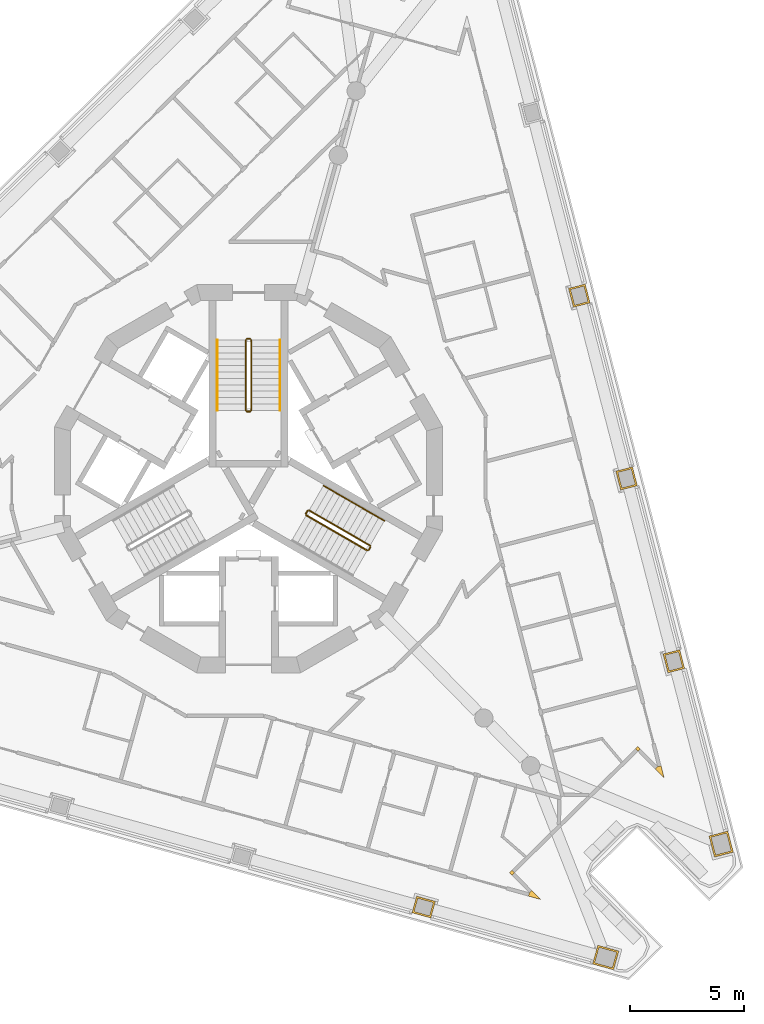
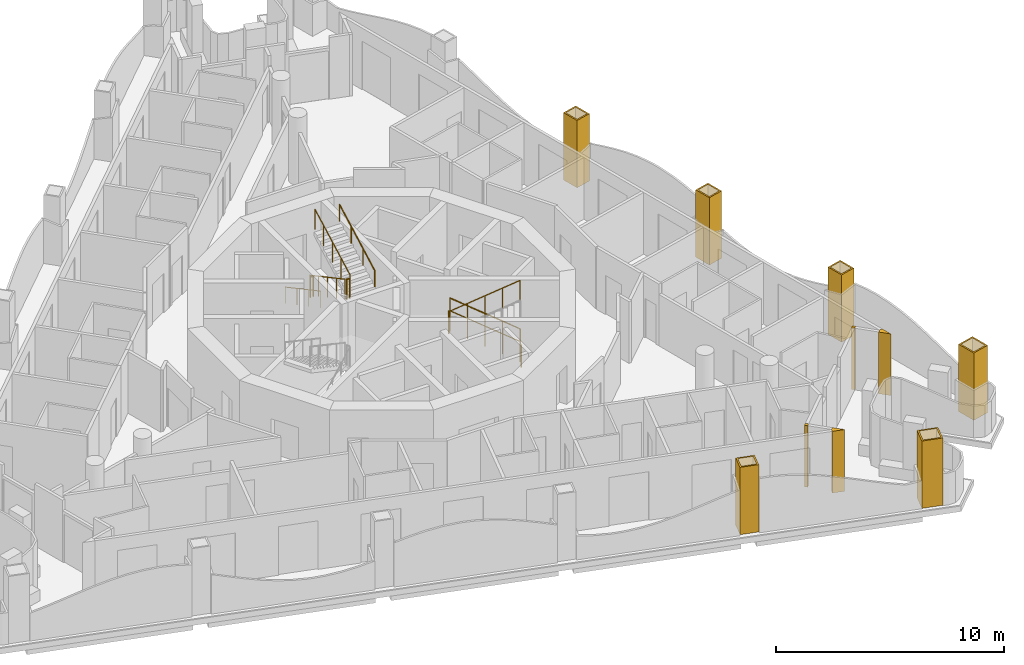
# One storey, part 12 of 14: 12 railings, 10 coverings.
"""IFC4 building model written with IfcOpenShell, lengths in metres."""

from ifc_helpers import new_model, si_unit, direction, frame, origin, origin_2d, place, context, subcontext, project, spatial, polyline, circle, outline, extrude, material, layer, layer_set, type_object, element, save


model = new_model("IFC4")

# Units and contexts
model_context = context("Model", 3, precision=1e-05, world=origin(), true_north=direction((0.0, 1.0)))
body_context = subcontext(model_context, "Body", "Model", "MODEL_VIEW")
ifc_project = project(units=[si_unit("LENGTHUNIT", "METRE"), si_unit("AREAUNIT", "SQUARE_METRE"), si_unit("VOLUMEUNIT", "CUBIC_METRE"), si_unit("PLANEANGLEUNIT", "RADIAN"), si_unit("MASSUNIT", "GRAM", prefix="KILO")], contexts=[model_context])

# Site, building, storey
site_placement = place(None, origin())
site = spatial("IfcSite", under=ifc_project, at=site_placement, CompositionType="ELEMENT")
building_placement = place(site_placement, origin())
building = spatial("IfcBuilding", under=site, at=building_placement, Name="Trine Commons Tower", CompositionType="ELEMENT")
storey_placement = place(building_placement, frame((0.0, 0.0, 238.5)))
storey = spatial("IfcBuildingStorey", under=building, at=storey_placement, Name="L62", CompositionType="ELEMENT", Elevation=238.5)

# Coverings
ifc_material_1 = material(Name="Aluminium-framed insulated wall panel", Category="aluminium")
ifc_layer_1 = layer(ifc_material_1, 0.14990234375)
ifc_layer_set_1 = layer_set([ifc_layer_1], Name="Aluminium-framed insulated wall panel")
covering_type_1 = type_object("IfcCoveringType", Name="Glazing corner post, aluminium", PredefinedType="CLADDING", material=ifc_layer_set_1)
covering_1_placement = place(storey_placement, origin())
element("IfcCovering", 1, at=covering_1_placement, inside=storey, type_object=covering_type_1, Name="Glazing corner post 7-06", PredefinedType="CLADDING", context=body_context, shape_type="SweptSolid", body=[
    extrude(outline(polyline([(97.80859375, 49.78515625), (98.200927734375, 49.3857421875), (98.060791015625, 49.927734375), (97.91552734375, 49.890380859375), (97.91552734375, 49.890380859375), (97.80859375, 49.78515625)])), origin(), (0.0, 0.0, 1.0), 3.300048828125),
])
covering_2_placement = place(storey_placement, origin())
element("IfcCovering", 2, at=covering_2_placement, inside=storey, type_object=covering_type_1, Name="Glazing corner post 7-07", PredefinedType="CLADDING", context=body_context, shape_type="SweptSolid", body=[
    extrude(outline(polyline([(96.9423828125, 50.66650390625), (97.047607421875, 50.5595703125), (97.154541015625, 50.66455078125), (97.04931640625, 50.771484375), (96.9423828125, 50.66650390625)])), origin(), (0.0, 0.0, 1.0), 3.300048828125),
])
covering_3_placement = place(storey_placement, origin())
element("IfcCovering", 3, at=covering_3_placement, inside=storey, type_object=covering_type_1, Name="Glazing corner post 7-08", PredefinedType="CLADDING", context=body_context, shape_type="SweptSolid", body=[
    extrude(outline(polyline([(91.5341796875, 45.1416015625), (91.64111328125, 45.24658203125), (91.535888671875, 45.353515625), (91.428955078125, 45.24853515625), (91.5341796875, 45.1416015625)])), origin(), (0.0, 0.0, 1.0), 3.300048828125),
])
covering_4_placement = place(storey_placement, origin())
element("IfcCovering", 4, at=covering_4_placement, inside=storey, type_object=covering_type_1, Name="Glazing corner post 7-09", PredefinedType="CLADDING", context=body_context, shape_type="SweptSolid", body=[
    extrude(outline(polyline([(92.255126953125, 44.222412109375), (92.79443359375, 44.072998046875), (92.402099609375, 44.47216796875), (92.295166015625, 44.3671875), (92.255126953125, 44.222412109375)])), origin(), (0.0, 0.0, 1.0), 3.300048828125),
])
ifc_material_2 = material(Name="Limestone, honed", Category="masonry")
ifc_layer_2 = layer(ifc_material_2, 0.074951171875)
ifc_layer_set_2 = layer_set([ifc_layer_2], Name="Limestone, honed")
covering_type_2 = type_object("IfcCoveringType", Name="Limestone column cladding 75", PredefinedType="CLADDING", material=ifc_layer_set_2)
covering_5_placement = place(storey_placement, origin())
element("IfcCovering", 5, at=covering_5_placement, inside=storey, type_object=covering_type_2, Name="Limestone pier cladding 7-01", PredefinedType="CLADDING", context=body_context, shape_type="SweptSolid", body=[
    extrude(outline(polyline([(95.292724609375, 42.0673828125), (95.0654296875, 41.248291015625), (95.98095703125, 40.994384765625), (96.2080078125, 41.8134765625), (95.292724609375, 42.0673828125)]), holes=[polyline([(95.344970703125, 41.97509765625), (95.15771484375, 41.300537109375), (95.9287109375, 41.086669921875), (96.11572265625, 41.76123046875), (95.344970703125, 41.97509765625)])]), origin(), (0.0, 0.0, 1.0), 3.60009765625),
])
covering_6_placement = place(storey_placement, origin())
element("IfcCovering", 6, at=covering_6_placement, inside=storey, type_object=covering_type_2, Name="Limestone pier cladding 7-02", PredefinedType="CLADDING", context=body_context, shape_type="SweptSolid", body=[
    extrude(outline(polyline([(87.359619140625, 44.215576171875), (87.158935546875, 43.492919921875), (87.97802734375, 43.265869140625), (88.1787109375, 43.988525390625), (87.359619140625, 44.215576171875)]), holes=[polyline([(87.41162109375, 44.123291015625), (87.25146484375, 43.545166015625), (87.92578125, 43.358154296875), (88.086181640625, 43.936279296875), (87.41162109375, 44.123291015625)])]), origin(), (0.0, 0.0, 1.0), 3.60009765625),
])
covering_7_placement = place(storey_placement, origin())
element("IfcCovering", 7, at=covering_7_placement, inside=storey, type_object=covering_type_2, Name="Limestone pier cladding 7-15", PredefinedType="CLADDING", context=body_context, shape_type="SweptSolid", body=[
    extrude(outline(polyline([(94.738525390625, 71.02099609375), (94.012451171875, 70.833251953125), (94.225341796875, 70.01025390625), (94.951416015625, 70.197998046875), (94.738525390625, 71.02099609375)]), holes=[polyline([(94.684814453125, 70.9296875), (94.10400390625, 70.779296875), (94.279296875, 70.101806640625), (94.860107421875, 70.251953125), (94.684814453125, 70.9296875)])]), origin(), (0.0, 0.0, 1.0), 3.60009765625),
])
covering_8_placement = place(storey_placement, origin())
element("IfcCovering", 8, at=covering_8_placement, inside=storey, type_object=covering_type_2, Name="Limestone pier cladding 7-16", PredefinedType="CLADDING", context=body_context, shape_type="SweptSolid", body=[
    extrude(outline(polyline([(96.808837890625, 63.015625), (96.082763671875, 62.827880859375), (96.295654296875, 62.0048828125), (97.021728515625, 62.192626953125), (96.808837890625, 63.015625)]), holes=[polyline([(96.755126953125, 62.92431640625), (96.17431640625, 62.77392578125), (96.349609375, 62.09619140625), (96.930419921875, 62.24658203125), (96.755126953125, 62.92431640625)])]), origin(), (0.0, 0.0, 1.0), 3.60009765625),
])
covering_9_placement = place(storey_placement, origin())
element("IfcCovering", 9, at=covering_9_placement, inside=storey, type_object=covering_type_2, Name="Limestone pier cladding 7-17", PredefinedType="CLADDING", context=body_context, shape_type="SweptSolid", body=[
    extrude(outline(polyline([(98.87939453125, 55.010498046875), (98.1533203125, 54.822509765625), (98.3662109375, 53.99951171875), (99.09228515625, 54.1875), (98.87939453125, 55.010498046875)]), holes=[polyline([(98.825439453125, 54.9189453125), (98.24462890625, 54.768798828125), (98.419921875, 54.091064453125), (99.000732421875, 54.2412109375), (98.825439453125, 54.9189453125)])]), origin(), (0.0, 0.0, 1.0), 3.60009765625),
])
covering_10_placement = place(storey_placement, origin())
element("IfcCovering", 10, at=covering_10_placement, inside=storey, type_object=covering_type_2, Name="Limestone pier cladding 7-18", PredefinedType="CLADDING", context=body_context, shape_type="SweptSolid", body=[
    extrude(outline(polyline([(100.985595703125, 47.06591796875), (100.16259765625, 46.853271484375), (100.400390625, 45.933349609375), (101.223388671875, 46.146240234375), (100.985595703125, 47.06591796875)]), holes=[polyline([(100.931640625, 46.974609375), (100.25390625, 46.79931640625), (100.454345703125, 46.02490234375), (101.132080078125, 46.2001953125), (100.931640625, 46.974609375)])]), origin(), (0.0, 0.0, 1.0), 3.60009765625),
])

# Railings
ifc_material_3 = material(Name="Stainless steel balustrade", Category="steel")
railing_type_1 = type_object("IfcRailingType", Name="Stair guard, steel balustrade 1100", PredefinedType="GUARDRAIL", material=ifc_material_3)
railing_1_placement = place(storey_placement, frame((79.875, 68.570556640625, 0.14990234375)))
element("IfcRailing", 11, at=railing_1_placement, inside=storey, type_object=railing_type_1, Name="L62 ST1C stair guard 1", PredefinedType="GUARDRAIL", context=body_context, shape_type="SweptSolid", body=[
    extrude(circle(Radius=0.02392578125, at=origin_2d()), frame((0.0, 0.0, 1.076171875), z_axis=(0.0, -0.881467505477, 0.472244678941), x_axis=(1.0, 0.0, 0.0)), (0.0, 0.0, 1.0), 3.494140625),
    extrude(circle(Radius=0.02099609375, at=origin_2d()), origin(), (0.0, 0.0, 1.0), 1.052001953125),
    extrude(circle(Radius=0.02099609375, at=origin_2d()), frame((0.0, -0.77001953125, 0.41259765625)), (0.0, 0.0, 1.0), 1.052001953125),
    extrude(circle(Radius=0.02099609375, at=origin_2d()), frame((0.0, -1.5400390625, 0.8251953125)), (0.0, 0.0, 1.0), 1.052001953125),
    extrude(circle(Radius=0.02099609375, at=origin_2d()), frame((0.0, -2.31005859375, 1.237548828125)), (0.0, 0.0, 1.0), 1.052001953125),
    extrude(circle(Radius=0.02099609375, at=origin_2d()), frame((0.0, -3.080078125, 1.650146484375)), (0.0, 0.0, 1.0), 1.052001953125),
])
railing_2_placement = place(storey_placement, frame((79.925048828125, 65.440673828125, 1.800048828125)))
element("IfcRailing", 12, at=railing_2_placement, inside=storey, type_object=railing_type_1, Name="L62 ST1C stair guard 2", PredefinedType="GUARDRAIL", context=body_context, shape_type="SweptSolid", body=[
    extrude(circle(Radius=0.02392578125, at=origin_2d()), frame((0.0, 0.0, 1.076171875), z_axis=(1.0, 0.0, 0.0), x_axis=(0.0, 1.0, 0.0)), (0.0, 0.0, 1.0), 0.14990234375),
    extrude(circle(Radius=0.02099609375, at=origin_2d()), origin(), (0.0, 0.0, 1.0), 1.052001953125),
    extrude(circle(Radius=0.02099609375, at=origin_2d()), frame((0.14990234375, 0.0, 0.0)), (0.0, 0.0, 1.0), 1.052001953125),
])
railing_3_placement = place(storey_placement, frame((80.125, 65.490478515625, 1.949951171875)))
element("IfcRailing", 13, at=railing_3_placement, inside=storey, type_object=railing_type_1, Name="L62 ST1C stair guard 3", PredefinedType="GUARDRAIL", context=body_context, shape_type="SweptSolid", body=[
    extrude(circle(Radius=0.02392578125, at=origin_2d()), frame((0.0, 0.0, 1.076171875), z_axis=(0.0, 0.881467505477, 0.472244678941), x_axis=(-1.0, 0.0, 0.0)), (0.0, 0.0, 1.0), 3.494140625),
    extrude(circle(Radius=0.02099609375, at=origin_2d()), origin(), (0.0, 0.0, 1.0), 1.052001953125),
    extrude(circle(Radius=0.02099609375, at=origin_2d()), frame((0.0, 0.77001953125, 0.41259765625)), (0.0, 0.0, 1.0), 1.052001953125),
    extrude(circle(Radius=0.02099609375, at=origin_2d()), frame((0.0, 1.5400390625, 0.8251953125)), (0.0, 0.0, 1.0), 1.052001953125),
    extrude(circle(Radius=0.02099609375, at=origin_2d()), frame((0.0, 2.31005859375, 1.237548828125)), (0.0, 0.0, 1.0), 1.052001953125),
    extrude(circle(Radius=0.02099609375, at=origin_2d()), frame((0.0, 3.080078125, 1.650146484375)), (0.0, 0.0, 1.0), 1.052001953125),
])
railing_4_placement = place(storey_placement, frame((79.925048828125, 68.62060546875, 0.0)))
element("IfcRailing", 14, at=railing_4_placement, inside=storey, type_object=railing_type_1, Name="L62 ST1C stair guard 4", PredefinedType="GUARDRAIL", context=body_context, shape_type="SweptSolid", body=[
    extrude(circle(Radius=0.02392578125, at=origin_2d()), frame((0.0, 0.0, 1.076171875), z_axis=(1.0, 0.0, 0.0), x_axis=(0.0, 1.0, 0.0)), (0.0, 0.0, 1.0), 0.14990234375),
    extrude(circle(Radius=0.02099609375, at=origin_2d()), origin(), (0.0, 0.0, 1.0), 1.052001953125),
    extrude(circle(Radius=0.02099609375, at=origin_2d()), frame((0.14990234375, 0.0, 0.0)), (0.0, 0.0, 1.0), 1.052001953125),
])
railing_5_placement = place(storey_placement, frame((85.31982421875, 59.572998046875, 0.14990234375)))
element("IfcRailing", 15, at=railing_5_placement, inside=storey, type_object=railing_type_1, Name="L62 ST3C stair guard 1", PredefinedType="GUARDRAIL", context=body_context, shape_type="SweptSolid", body=[
    extrude(circle(Radius=0.02392578125, at=origin_2d()), frame((0.0, 0.0, 1.076171875), z_axis=(-0.763379768245, 0.440728498818, 0.472239049384), x_axis=(-0.499992328818, -0.866029832698, 0.0)), (0.0, 0.0, 1.0), 3.494384765625),
    extrude(circle(Radius=0.02099609375, at=origin_2d()), origin(), (0.0, 0.0, 1.0), 1.052001953125),
    extrude(circle(Radius=0.02099609375, at=origin_2d()), frame((-0.6669921875, 0.385009765625, 0.41259765625)), (0.0, 0.0, 1.0), 1.052001953125),
    extrude(circle(Radius=0.02099609375, at=origin_2d()), frame((-1.333740234375, 0.77001953125, 0.8251953125)), (0.0, 0.0, 1.0), 1.052001953125),
    extrude(circle(Radius=0.02099609375, at=origin_2d()), frame((-2.00048828125, 1.155029296875, 1.237548828125)), (0.0, 0.0, 1.0), 1.052001953125),
    extrude(circle(Radius=0.02099609375, at=origin_2d()), frame((-2.66748046875, 1.5400390625, 1.650146484375)), (0.0, 0.0, 1.0), 1.052001953125),
])
railing_6_placement = place(storey_placement, frame((82.584228515625, 61.0947265625, 1.800048828125)))
element("IfcRailing", 16, at=railing_6_placement, inside=storey, type_object=railing_type_1, Name="L62 ST3C stair guard 2", PredefinedType="GUARDRAIL", context=body_context, shape_type="SweptSolid", body=[
    extrude(circle(Radius=0.02392578125, at=origin_2d()), frame((0.0, 0.0, 1.076171875), z_axis=(-0.501036270542, -0.865426285481, 0.0), x_axis=(0.865426285481, -0.501036270542, 0.0)), (0.0, 0.0, 1.0), 0.150146484375),
    extrude(circle(Radius=0.02099609375, at=origin_2d()), origin(), (0.0, 0.0, 1.0), 1.052001953125),
    extrude(circle(Radius=0.02099609375, at=origin_2d()), frame((-0.0751953125, -0.1298828125, 0.0)), (0.0, 0.0, 1.0), 1.052001953125),
])
railing_7_placement = place(storey_placement, frame((82.52734375, 60.896484375, 1.949951171875)))
element("IfcRailing", 17, at=railing_7_placement, inside=storey, type_object=railing_type_1, Name="L62 ST3C stair guard 3", PredefinedType="GUARDRAIL", context=body_context, shape_type="SweptSolid", body=[
    extrude(circle(Radius=0.02392578125, at=origin_2d()), frame((0.0, 0.0, 1.076171875), z_axis=(0.763379768245, -0.440728498818, 0.472239049384), x_axis=(0.499992328818, 0.866029832698, 0.0)), (0.0, 0.0, 1.0), 3.494384765625),
    extrude(circle(Radius=0.02099609375, at=origin_2d()), origin(), (0.0, 0.0, 1.0), 1.052001953125),
    extrude(circle(Radius=0.02099609375, at=origin_2d()), frame((0.6669921875, -0.385009765625, 0.41259765625)), (0.0, 0.0, 1.0), 1.052001953125),
    extrude(circle(Radius=0.02099609375, at=origin_2d()), frame((1.333740234375, -0.77001953125, 0.8251953125)), (0.0, 0.0, 1.0), 1.052001953125),
    extrude(circle(Radius=0.02099609375, at=origin_2d()), frame((2.00048828125, -1.155029296875, 1.237548828125)), (0.0, 0.0, 1.0), 1.052001953125),
    extrude(circle(Radius=0.02099609375, at=origin_2d()), frame((2.66748046875, -1.5400390625, 1.650146484375)), (0.0, 0.0, 1.0), 1.052001953125),
])
railing_8_placement = place(storey_placement, frame((85.338134765625, 59.504638671875, 0.0)))
element("IfcRailing", 18, at=railing_8_placement, inside=storey, type_object=railing_type_1, Name="L62 ST3C stair guard 4", PredefinedType="GUARDRAIL", context=body_context, shape_type="SweptSolid", body=[
    extrude(circle(Radius=0.02392578125, at=origin_2d()), frame((0.0, 0.0, 1.076171875), z_axis=(-0.499816412211, -0.866131372301, 0.0), x_axis=(0.866131372301, -0.499816412211, 0.0)), (0.0, 0.0, 1.0), 0.14990234375),
    extrude(circle(Radius=0.02099609375, at=origin_2d()), origin(), (0.0, 0.0, 1.0), 1.052001953125),
    extrude(circle(Radius=0.02099609375, at=origin_2d()), frame((-0.074951171875, -0.1298828125, 0.0)), (0.0, 0.0, 1.0), 1.052001953125),
])
ifc_material_4 = material(Name="Stainless steel handrail", Category="steel")
railing_type_2 = type_object("IfcRailingType", Name="Stair handrail, steel 900", PredefinedType="HANDRAIL", material=ifc_material_4)
railing_9_placement = place(storey_placement, frame((78.625, 68.570556640625, 0.14990234375)))
element("IfcRailing", 19, at=railing_9_placement, inside=storey, type_object=railing_type_2, Name="L62 ST1C stair handrail 1", PredefinedType="HANDRAIL", context=body_context, shape_type="SweptSolid", body=[
    extrude(circle(Radius=0.02099609375, at=origin_2d()), frame((0.0, 0.0, 0.87890625), z_axis=(0.0, -0.881467505477, 0.472244678941), x_axis=(1.0, 0.0, 0.0)), (0.0, 0.0, 1.0), 3.494140625),
    extrude(circle(Radius=0.01513671875, at=origin_2d()), origin(), (0.0, 0.0, 1.0), 0.85791015625),
    extrude(circle(Radius=0.01513671875, at=origin_2d()), frame((0.0, -1.026611328125, 0.550048828125)), (0.0, 0.0, 1.0), 0.85791015625),
    extrude(circle(Radius=0.01513671875, at=origin_2d()), frame((0.0, -2.053466796875, 1.10009765625)), (0.0, 0.0, 1.0), 0.85791015625),
    extrude(circle(Radius=0.01513671875, at=origin_2d()), frame((0.0, -3.080078125, 1.650146484375)), (0.0, 0.0, 1.0), 0.85791015625),
])
railing_10_placement = place(storey_placement, frame((81.375, 65.490478515625, 1.949951171875)))
element("IfcRailing", 20, at=railing_10_placement, inside=storey, type_object=railing_type_2, Name="L62 ST1C stair handrail 2", PredefinedType="HANDRAIL", context=body_context, shape_type="SweptSolid", body=[
    extrude(circle(Radius=0.02099609375, at=origin_2d()), frame((0.0, 0.0, 0.87890625), z_axis=(0.0, 0.881467505477, 0.472244678941), x_axis=(-1.0, 0.0, 0.0)), (0.0, 0.0, 1.0), 3.494140625),
    extrude(circle(Radius=0.01513671875, at=origin_2d()), origin(), (0.0, 0.0, 1.0), 0.85791015625),
    extrude(circle(Radius=0.01513671875, at=origin_2d()), frame((0.0, 1.026611328125, 0.550048828125)), (0.0, 0.0, 1.0), 0.85791015625),
    extrude(circle(Radius=0.01513671875, at=origin_2d()), frame((0.0, 2.053466796875, 1.10009765625)), (0.0, 0.0, 1.0), 0.85791015625),
    extrude(circle(Radius=0.01513671875, at=origin_2d()), frame((0.0, 3.080078125, 1.650146484375)), (0.0, 0.0, 1.0), 0.85791015625),
])
railing_11_placement = place(storey_placement, frame((85.94482421875, 60.655517578125, 0.14990234375)))
element("IfcRailing", 21, at=railing_11_placement, inside=storey, type_object=railing_type_2, Name="L62 ST3C stair handrail 1", PredefinedType="HANDRAIL", context=body_context, shape_type="SweptSolid", body=[
    extrude(circle(Radius=0.02099609375, at=origin_2d()), frame((0.0, 0.0, 0.87890625), z_axis=(-0.763354580307, 0.440713956853, 0.472293333596), x_axis=(-0.499992328818, -0.866029832698, 0.0)), (0.0, 0.0, 1.0), 1.747314453125),
    extrude(circle(Radius=0.01513671875, at=origin_2d()), origin(), (0.0, 0.0, 1.0), 0.85791015625),
    extrude(circle(Radius=0.01513671875, at=origin_2d()), frame((-0.6669921875, 0.385009765625, 0.41259765625)), (0.0, 0.0, 1.0), 0.85791015625),
    extrude(circle(Radius=0.01513671875, at=origin_2d()), frame((-1.333740234375, 0.77001953125, 0.8251953125)), (0.0, 0.0, 1.0), 0.85791015625),
])
railing_12_placement = place(storey_placement, frame((84.611083984375, 61.425537109375, 0.97509765625)))
element("IfcRailing", 22, at=railing_12_placement, inside=storey, type_object=railing_type_2, Name="L62 ST3C stair handrail 2", PredefinedType="HANDRAIL", context=body_context, shape_type="SweptSolid", body=[
    extrude(circle(Radius=0.02099609375, at=origin_2d()), frame((0.0, 0.0, 0.87890625), z_axis=(-0.76340495495, 0.440743040072, 0.472184759798), x_axis=(-0.499992328818, -0.866029832698, 0.0)), (0.0, 0.0, 1.0), 1.7470703125),
    extrude(circle(Radius=0.01513671875, at=origin_2d()), origin(), (0.0, 0.0, 1.0), 0.85791015625),
    extrude(circle(Radius=0.01513671875, at=origin_2d()), frame((-0.6669921875, 0.385009765625, 0.41259765625)), (0.0, 0.0, 1.0), 0.85791015625),
    extrude(circle(Radius=0.01513671875, at=origin_2d()), frame((-1.333740234375, 0.77001953125, 0.824951171875)), (0.0, 0.0, 1.0), 0.85791015625),
])

save(model, "model.ifc")
